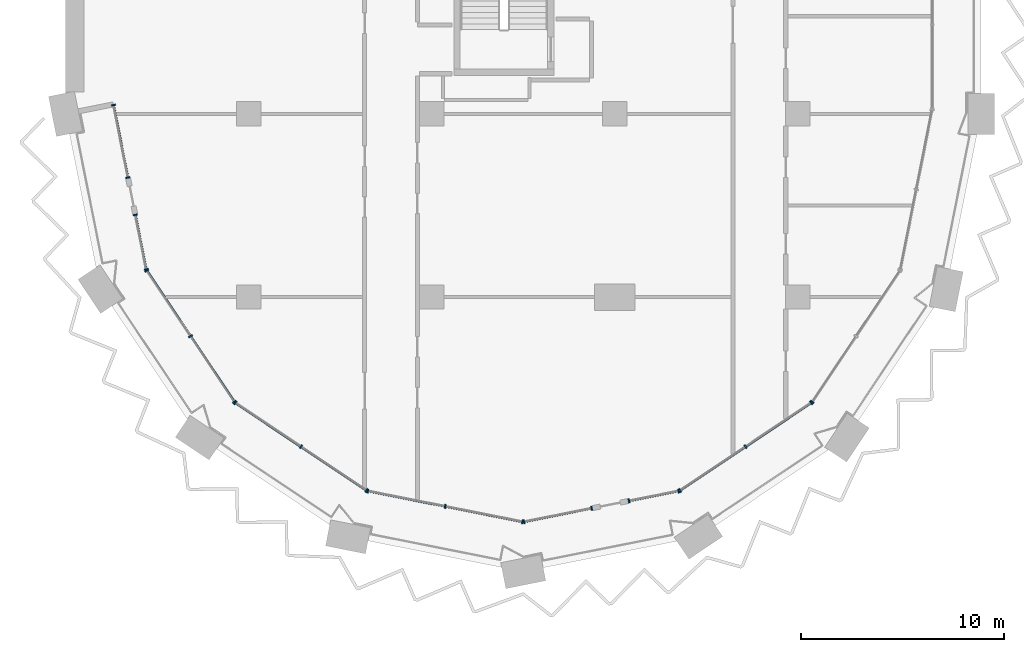
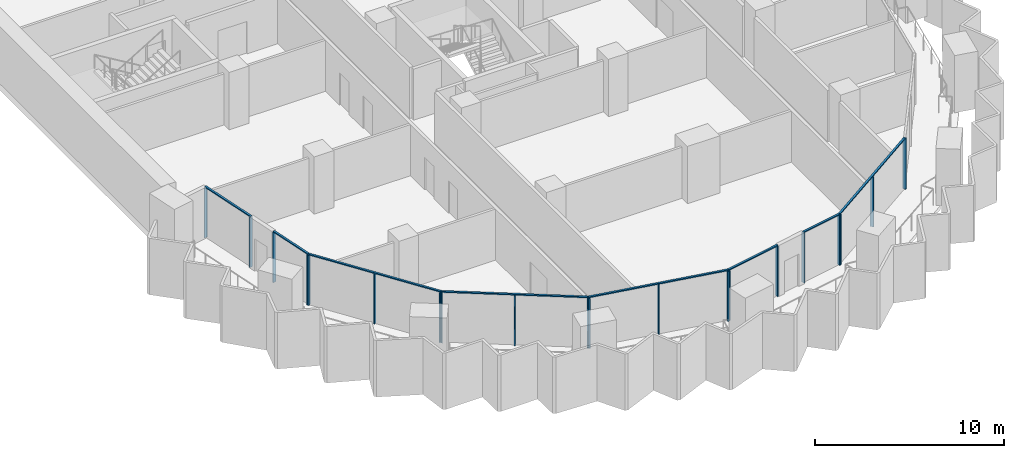
# One storey, part 2 of 22: 29 members, 9 elements without a shape of their own.
"""IFC4 building model written with IfcOpenShell, lengths in metres."""

import ifcopenshell
import ifcopenshell.guid

model = None  # the IFC model being written
_history = None  # IfcOwnerHistory: only IFC2X3 demands one
_inside = {}  # id of a spatial element -> (the spatial element, [elements in it])
_under = {}  # id of a project, library or spatial element -> (it, [spatial elements below it])
_declared = {}  # id of a project -> (the project, [libraries it declares])
_typed = {}  # id of a type object -> (the type object, [elements of that type])
_made_of = {}  # id of a material, layer set ... -> (it, [elements and type objects made of it])


def new_model(schema):
    """Start an empty IFC model of exactly this schema.

    Asked for "IFC4X3", IfcOpenShell would pick the latest addendum, in which some entities
    have other attributes; the version numbers below select the first issue.
    IFC2X3 requires an IfcOwnerHistory on every rooted entity: one is made here for all.
    """
    global model, _history
    if schema == "IFC4X3":
        model = ifcopenshell.file(schema_version=(4, 3, 0, 0))
    else:
        model = ifcopenshell.file(schema=schema)
    _inside.clear()
    _under.clear()
    _declared.clear()
    _typed.clear()
    _made_of.clear()
    _history = None
    if model.schema == "IFC2X3":
        org = make("IfcOrganization", Name="unknown")
        user = make(
            "IfcPersonAndOrganization",
            ThePerson=make("IfcPerson", FamilyName="unknown"),
            TheOrganization=org,
        )
        app = make(
            "IfcApplication",
            ApplicationDeveloper=org,
            Version="unknown",
            ApplicationFullName="unknown",
            ApplicationIdentifier="unknown",
        )
        _history = make(
            "IfcOwnerHistory",
            OwningUser=user,
            OwningApplication=app,
            ChangeAction="ADDED",
            CreationDate=0,
        )
    return model


def make(cls, **values):
    """One entity of the class cls with the attributes given. An attribute that is None is left unset."""
    return model.create_entity(
        cls, **{name: value for name, value in values.items() if value is not None}
    )


def rooted(cls, **values):
    """An entity with a GlobalId (a new one), such as an element, a storey or a relation."""
    return make(cls, GlobalId=ifcopenshell.guid.new(), OwnerHistory=_history, **values)


def si_unit(unit_type, name, prefix=None):
    """IfcSIUnit, for example si_unit("LENGTHUNIT", "METRE", prefix="MILLI")."""
    return make("IfcSIUnit", UnitType=unit_type, Prefix=prefix, Name=name)


def assignment(units):
    """IfcUnitAssignment: the units of a project."""
    return None if units is None else make("IfcUnitAssignment", Units=units)


def point(xyz):
    """IfcCartesianPoint."""
    return None if xyz is None else make("IfcCartesianPoint", Coordinates=xyz)


def direction(xyz):
    """IfcDirection."""
    return None if xyz is None else make("IfcDirection", DirectionRatios=xyz)


def frame(location, z_axis=None, x_axis=None):
    """IfcAxis2Placement3D, a coordinate frame: its origin and axes. An axis left out is left unset."""
    return make(
        "IfcAxis2Placement3D",
        Location=point(location),
        Axis=direction(z_axis),
        RefDirection=direction(x_axis),
    )


def frame_2d(location, x_axis=None):
    """IfcAxis2Placement2D, a coordinate frame in the plane: its origin and x axis."""
    return make(
        "IfcAxis2Placement2D", Location=point(location), RefDirection=direction(x_axis)
    )


def origin():
    """The frame at (0, 0, 0) with its axes left unset."""
    return frame((0.0, 0.0, 0.0))


def origin_2d():
    """The frame at (0, 0) in the plane with its x axis left unset."""
    return frame_2d((0.0, 0.0))


def place(relative_to, where):
    """IfcLocalPlacement: puts the frame where relative to a parent placement (None: the world)."""
    return make(
        "IfcLocalPlacement", PlacementRelTo=relative_to, RelativePlacement=where
    )


def context(
    kind, dimensions, precision=None, world=None, true_north=None, identifier=None
):
    """IfcGeometricRepresentationContext, for example the 3D "Model" context."""
    return make(
        "IfcGeometricRepresentationContext",
        ContextIdentifier=identifier,
        ContextType=kind,
        CoordinateSpaceDimension=dimensions,
        Precision=precision,
        WorldCoordinateSystem=world,
        TrueNorth=true_north,
    )


def subcontext(parent, identifier, kind, view, scale=None):
    """IfcGeometricRepresentationSubContext, for example "Body" below "Model"."""
    return make(
        "IfcGeometricRepresentationSubContext",
        ContextIdentifier=identifier,
        ContextType=kind,
        ParentContext=parent,
        TargetScale=scale,
        TargetView=view,
    )


def project(units=None, contexts=None):
    """IfcProject with its units and contexts."""
    return rooted(
        "IfcProject",
        Name="project",
        RepresentationContexts=contexts,
        UnitsInContext=assignment(units),
    )


def spatial(cls, under=None, at=None, **own):
    """A site, building, storey or space (cls), placed at a placement, below another one or the project."""
    s = rooted(cls, ObjectPlacement=at, **own)
    if under is not None:
        _under.setdefault(under.id(), (under, []))[1].append(s)
    return s


def profile(cls, at=None, kind="AREA", **sizes):
    """A parametric profile (cls). Its sizes go by their IFC names, for example OverallWidth=200.0."""
    return make(cls, ProfileType=kind, Position=at, **sizes)


def rectangle(**sizes):
    """IfcRectangleProfileDef."""
    return profile("IfcRectangleProfileDef", **sizes)


def extrude(swept, where, along, depth):
    """IfcExtrudedAreaSolid: the profile swept, set in the frame where, extruded along a direction by depth."""
    return make(
        "IfcExtrudedAreaSolid",
        SweptArea=swept,
        Position=where,
        ExtrudedDirection=direction(along),
        Depth=depth,
    )


def shape(context_of_items, identifier, shape_type, items):
    """IfcShapeRepresentation: the items that make up one representation, for example the "Body"."""
    return make(
        "IfcShapeRepresentation",
        ContextOfItems=context_of_items,
        RepresentationIdentifier=identifier,
        RepresentationType=shape_type,
        Items=items,
    )


def material(Name=None, Category=None):
    """IfcMaterial."""
    return make("IfcMaterial", Name=Name, Category=Category)


def material_profile(
    of_material, cross_section, Name=None, Category=None, Priority=None
):
    """IfcMaterialProfile: a cross section and its material."""
    return make(
        "IfcMaterialProfile",
        Name=Name,
        Material=of_material,
        Profile=cross_section,
        Priority=Priority,
        Category=Category,
    )


def profile_set(profiles, Name=None, composite=None):
    """IfcMaterialProfileSet."""
    return make(
        "IfcMaterialProfileSet",
        Name=Name,
        MaterialProfiles=profiles,
        CompositeProfile=composite,
    )


def made_of(thing, what):
    """Note that an element or type object is made of a material, layer set ...; save() writes the relation."""
    if what is not None:
        _made_of.setdefault(what.id(), (what, []))[1].append(thing)
    return thing


def type_object(cls, material=None, **own):
    """A type object (cls), such as IfcWallType, which elements share."""
    return made_of(rooted(cls, **own), material)


def element(
    cls,
    number,
    at=None,
    inside=None,
    cuts=None,
    type_object=None,
    material=None,
    context=None,
    identifier="Body",
    shape_type=None,
    held_by="IfcProductDefinitionShape",
    body=None,
    shapes=None,
    **own,
):
    """One element of the class cls, such as IfcWall. Its Tag is "e" and its number.

    at: its placement. inside: the storey or other place that contains it. cuts: it is an
    opening in that element (IfcRelVoidsElement). A single representation is given by context,
    identifier, shape_type and body (its items); several are given by shapes. held_by: the class
    of the entity that holds the representations. save() writes the other relations.
    """
    e = rooted(cls, Tag="e%d" % number, ObjectPlacement=at, **own)
    if body is not None:
        shapes = [shape(context, identifier, shape_type, body)]
    if shapes is not None:
        e.Representation = make(held_by, Representations=shapes)
    if inside is not None:
        _inside.setdefault(inside.id(), (inside, []))[1].append(e)
    if cuts is not None:
        rooted(
            "IfcRelVoidsElement", RelatingBuildingElement=cuts, RelatedOpeningElement=e
        )
    if type_object is not None:
        _typed.setdefault(type_object.id(), (type_object, []))[1].append(e)
    return made_of(e, material)


def aggregate(whole, parts):
    """IfcRelAggregates: a whole, such as a stair, and the parts it consists of."""
    return rooted("IfcRelAggregates", RelatingObject=whole, RelatedObjects=parts)


def save(model, path):
    """Write the relations noted so far, then the file.

    IfcRelAggregates (storeys below a building ...), IfcRelContainedInSpatialStructure (elements
    in a storey), IfcRelDefinesByType, IfcRelAssociatesMaterial and IfcRelDeclares: one each for
    every whole, place, type object, material and project.
    """
    for whole, parts in _under.values():
        aggregate(whole, parts)
    for where, things in _inside.values():
        rooted(
            "IfcRelContainedInSpatialStructure",
            RelatedElements=things,
            RelatingStructure=where,
        )
    for kind, things in _typed.values():
        rooted("IfcRelDefinesByType", RelatedObjects=things, RelatingType=kind)
    for what, things in _made_of.values():
        rooted("IfcRelAssociatesMaterial", RelatedObjects=things, RelatingMaterial=what)
    for by, libraries in _declared.values():
        rooted("IfcRelDeclares", RelatingContext=by, RelatedDefinitions=libraries)
    model.write(path)


model = new_model("IFC4")

# Units and contexts
model_context = context("Model", 3, precision=1e-05, world=origin(), true_north=direction((0.0, 1.0)))
body_context = subcontext(model_context, "Body", "Model", "MODEL_VIEW")
ifc_project = project(units=[si_unit("LENGTHUNIT", "METRE"), si_unit("AREAUNIT", "SQUARE_METRE"), si_unit("VOLUMEUNIT", "CUBIC_METRE"), si_unit("PLANEANGLEUNIT", "RADIAN"), si_unit("MASSUNIT", "GRAM", prefix="KILO")], contexts=[model_context])

# Site, building, storey
site_placement = place(None, origin())
site = spatial("IfcSite", under=ifc_project, at=site_placement, CompositionType="ELEMENT")
building_placement = place(site_placement, origin())
building = spatial("IfcBuilding", under=site, at=building_placement, Name="Hunhe Ridgeline Campus", CompositionType="ELEMENT")
storey_placement = place(building_placement, frame((0.0, 0.0, 133.800048828125)))
storey = spatial("IfcBuildingStorey", under=building, at=storey_placement, Name="L33", CompositionType="ELEMENT", Elevation=133.800048828125)

# Curtain wall, members
ifc_material = material(Name="Aluminium 6063", Category="aluminium")
curtain_wall_type = type_object("IfcCurtainWallType", Name="Curtain wall CW-5", PredefinedType="NOTDEFINED", material=ifc_material)
curtain_wall_1_placement = place(storey_placement, origin())
curtain_wall_1 = element("IfcCurtainWall", 1, at=curtain_wall_1_placement, inside=storey, type_object=curtain_wall_type, Name="Curtain wall 01", PredefinedType="NOTDEFINED")
ifc_material_profile_1 = material_profile(ifc_material, rectangle(XDim=0.199951171875, YDim=0.070068359375, at=origin_2d()))
ifc_profile_set_1 = profile_set([ifc_material_profile_1], Name="Aluminium 6063")
member_type_1 = type_object("IfcMemberType", Name="CW-5 aluminium mullion", PredefinedType="MULLION", material=ifc_profile_set_1)
member_1_placement = place(storey_placement, frame((2.361572265625, 27.434326171875, 0.0), z_axis=(0.0, 0.0, 1.0), x_axis=(0.980784284924, 0.195095326561, 0.0)))
member_1 = element("IfcMember", 2, at=member_1_placement, type_object=member_type_1, Name="CW-5 mullion 1", PredefinedType="MULLION", context=body_context, shape_type="SweptSolid", body=[
    extrude(rectangle(XDim=0.199951171875, YDim=0.070068359375, at=origin_2d()), origin(), (0.0, 0.0, 1.0), 3.22998046875),
])
member_2_placement = place(storey_placement, frame((3.070068359375, 23.873291015625, 0.0), z_axis=(0.0, 0.0, 1.0), x_axis=(0.980784284924, 0.195095326561, 0.0)))
member_2 = element("IfcMember", 3, at=member_2_placement, type_object=member_type_1, Name="CW-5 mullion 2", PredefinedType="MULLION", context=body_context, shape_type="SweptSolid", body=[
    extrude(rectangle(XDim=0.199951171875, YDim=0.070068359375, at=origin_2d()), origin(), (0.0, 0.0, 1.0), 3.22998046875),
])

curtain_wall_2_placement = place(storey_placement, origin())
curtain_wall_2 = element("IfcCurtainWall", 4, at=curtain_wall_2_placement, inside=storey, type_object=curtain_wall_type, Name="Curtain wall 02", PredefinedType="NOTDEFINED")
member_3_placement = place(storey_placement, frame((3.434814453125, 22.0390625, 0.0), z_axis=(0.0, 0.0, 1.0), x_axis=(0.980784297053, 0.195095265587, 0.0)))
member_3 = element("IfcMember", 5, at=member_3_placement, type_object=member_type_1, Name="CW-5 mullion 1", PredefinedType="MULLION", context=body_context, shape_type="SweptSolid", body=[
    extrude(rectangle(XDim=0.199951171875, YDim=0.070068359375, at=origin_2d()), origin(), (0.0, 0.0, 1.0), 3.22998046875),
])
member_4_placement = place(storey_placement, frame((3.967529296875, 19.36083984375, 0.0), z_axis=(0.0, 0.0, 1.0), x_axis=(0.980784297053, 0.195095265587, 0.0)))
member_4 = element("IfcMember", 6, at=member_4_placement, type_object=member_type_1, Name="CW-5 mullion 2", PredefinedType="MULLION", context=body_context, shape_type="SweptSolid", body=[
    extrude(rectangle(XDim=0.199951171875, YDim=0.070068359375, at=origin_2d()), origin(), (0.0, 0.0, 1.0), 3.22998046875),
])

curtain_wall_3_placement = place(storey_placement, origin())
curtain_wall_3 = element("IfcCurtainWall", 7, at=curtain_wall_3_placement, inside=storey, type_object=curtain_wall_type, Name="Curtain wall 03", PredefinedType="NOTDEFINED")
member_5_placement = place(storey_placement, frame((3.993896484375, 19.29736328125, 0.0), z_axis=(0.0, 0.0, 1.0), x_axis=(0.831469584522, 0.555570274596, 0.0)))
member_5 = element("IfcMember", 8, at=member_5_placement, type_object=member_type_1, Name="CW-5 mullion 1", PredefinedType="MULLION", context=body_context, shape_type="SweptSolid", body=[
    extrude(rectangle(XDim=0.199951171875, YDim=0.070068359375, at=origin_2d()), origin(), (0.0, 0.0, 1.0), 3.22998046875),
])
member_6_placement = place(storey_placement, frame((6.147705078125, 16.07373046875, 0.0), z_axis=(0.0, 0.0, 1.0), x_axis=(0.831469584522, 0.555570274596, 0.0)))
member_6 = element("IfcMember", 9, at=member_6_placement, type_object=member_type_1, Name="CW-5 mullion 2", PredefinedType="MULLION", context=body_context, shape_type="SweptSolid", body=[
    extrude(rectangle(XDim=0.199951171875, YDim=0.070068359375, at=origin_2d()), origin(), (0.0, 0.0, 1.0), 3.22998046875),
])
member_7_placement = place(storey_placement, frame((8.3017578125, 12.850341796875, 0.0), z_axis=(0.0, 0.0, 1.0), x_axis=(0.831469584522, 0.555570274596, 0.0)))
member_7 = element("IfcMember", 10, at=member_7_placement, type_object=member_type_1, Name="CW-5 mullion 3", PredefinedType="MULLION", context=body_context, shape_type="SweptSolid", body=[
    extrude(rectangle(XDim=0.199951171875, YDim=0.070068359375, at=origin_2d()), origin(), (0.0, 0.0, 1.0), 3.22998046875),
])

curtain_wall_4_placement = place(storey_placement, origin())
curtain_wall_4 = element("IfcCurtainWall", 11, at=curtain_wall_4_placement, inside=storey, type_object=curtain_wall_type, Name="Curtain wall 04", PredefinedType="NOTDEFINED")
member_8_placement = place(storey_placement, frame((8.350341796875, 12.8017578125, 0.0), z_axis=(0.0, 0.0, 1.0), x_axis=(0.555570274596, 0.831469584522, 0.0)))
member_8 = element("IfcMember", 12, at=member_8_placement, type_object=member_type_1, Name="CW-5 mullion 1", PredefinedType="MULLION", context=body_context, shape_type="SweptSolid", body=[
    extrude(rectangle(XDim=0.199951171875, YDim=0.070068359375, at=origin_2d()), origin(), (0.0, 0.0, 1.0), 3.22998046875),
])
member_9_placement = place(storey_placement, frame((11.57373046875, 10.647705078125, 0.0), z_axis=(0.0, 0.0, 1.0), x_axis=(0.555570274596, 0.831469584522, 0.0)))
member_9 = element("IfcMember", 13, at=member_9_placement, type_object=member_type_1, Name="CW-5 mullion 2", PredefinedType="MULLION", context=body_context, shape_type="SweptSolid", body=[
    extrude(rectangle(XDim=0.199951171875, YDim=0.070068359375, at=origin_2d()), origin(), (0.0, 0.0, 1.0), 3.22998046875),
])
member_10_placement = place(storey_placement, frame((14.79736328125, 8.493896484375, 0.0), z_axis=(0.0, 0.0, 1.0), x_axis=(0.555570274596, 0.831469584522, 0.0)))
member_10 = element("IfcMember", 14, at=member_10_placement, type_object=member_type_1, Name="CW-5 mullion 3", PredefinedType="MULLION", context=body_context, shape_type="SweptSolid", body=[
    extrude(rectangle(XDim=0.199951171875, YDim=0.070068359375, at=origin_2d()), origin(), (0.0, 0.0, 1.0), 3.22998046875),
])

curtain_wall_5_placement = place(storey_placement, origin())
curtain_wall_5 = element("IfcCurtainWall", 15, at=curtain_wall_5_placement, inside=storey, type_object=curtain_wall_type, Name="Curtain wall 05", PredefinedType="NOTDEFINED")
member_11_placement = place(storey_placement, frame((14.86083984375, 8.467529296875, 0.0), z_axis=(0.0, 0.0, 1.0), x_axis=(0.195090347539, 0.980785275326, 0.0)))
member_11 = element("IfcMember", 16, at=member_11_placement, type_object=member_type_1, Name="CW-5 mullion 1", PredefinedType="MULLION", context=body_context, shape_type="SweptSolid", body=[
    extrude(rectangle(XDim=0.199951171875, YDim=0.070068359375, at=origin_2d()), origin(), (0.0, 0.0, 1.0), 3.22998046875),
])
member_12_placement = place(storey_placement, frame((18.663330078125, 7.711181640625, 0.0), z_axis=(0.0, 0.0, 1.0), x_axis=(0.195090347539, 0.980785275326, 0.0)))
member_12 = element("IfcMember", 17, at=member_12_placement, type_object=member_type_1, Name="CW-5 mullion 2", PredefinedType="MULLION", context=body_context, shape_type="SweptSolid", body=[
    extrude(rectangle(XDim=0.199951171875, YDim=0.070068359375, at=origin_2d()), origin(), (0.0, 0.0, 1.0), 3.22998046875),
])
member_13_placement = place(storey_placement, frame((22.465576171875, 6.954833984375, 0.0), z_axis=(0.0, 0.0, 1.0), x_axis=(0.195090347539, 0.980785275326, 0.0)))
member_13 = element("IfcMember", 18, at=member_13_placement, type_object=member_type_1, Name="CW-5 mullion 3", PredefinedType="MULLION", context=body_context, shape_type="SweptSolid", body=[
    extrude(rectangle(XDim=0.199951171875, YDim=0.070068359375, at=origin_2d()), origin(), (0.0, 0.0, 1.0), 3.22998046875),
])

curtain_wall_6_placement = place(storey_placement, origin())
curtain_wall_6 = element("IfcCurtainWall", 19, at=curtain_wall_6_placement, inside=storey, type_object=curtain_wall_type, Name="Curtain wall 06", PredefinedType="NOTDEFINED")
member_14_placement = place(storey_placement, frame((22.534423828125, 6.954833984375, 0.0), z_axis=(0.0, 0.0, 1.0), x_axis=(-0.19509037034, 0.980785270791, 0.0)))
member_14 = element("IfcMember", 20, at=member_14_placement, type_object=member_type_1, Name="CW-5 mullion 1", PredefinedType="MULLION", context=body_context, shape_type="SweptSolid", body=[
    extrude(rectangle(XDim=0.199951171875, YDim=0.070068359375, at=origin_2d()), origin(), (0.0, 0.0, 1.0), 3.22998046875),
])
member_15_placement = place(storey_placement, frame((25.861083984375, 7.61669921875, 0.0), z_axis=(0.0, 0.0, 1.0), x_axis=(-0.19509037034, 0.980785270791, 0.0)))
member_15 = element("IfcMember", 21, at=member_15_placement, type_object=member_type_1, Name="CW-5 mullion 2", PredefinedType="MULLION", context=body_context, shape_type="SweptSolid", body=[
    extrude(rectangle(XDim=0.199951171875, YDim=0.070068359375, at=origin_2d()), origin(), (0.0, 0.0, 1.0), 3.22998046875),
])

curtain_wall_7_placement = place(storey_placement, origin())
curtain_wall_7 = element("IfcCurtainWall", 22, at=curtain_wall_7_placement, inside=storey, type_object=curtain_wall_type, Name="Curtain wall 07", PredefinedType="NOTDEFINED")
member_16_placement = place(storey_placement, frame((27.695068359375, 7.9814453125, 0.0), z_axis=(0.0, 0.0, 1.0), x_axis=(-0.195090514627, 0.980785242091, 0.0)))
member_16 = element("IfcMember", 23, at=member_16_placement, type_object=member_type_1, Name="CW-5 mullion 1", PredefinedType="MULLION", context=body_context, shape_type="SweptSolid", body=[
    extrude(rectangle(XDim=0.199951171875, YDim=0.070068359375, at=origin_2d()), origin(), (0.0, 0.0, 1.0), 3.22998046875),
])
member_17_placement = place(storey_placement, frame((30.13916015625, 8.467529296875, 0.0), z_axis=(0.0, 0.0, 1.0), x_axis=(-0.195090514627, 0.980785242091, 0.0)))
member_17 = element("IfcMember", 24, at=member_17_placement, type_object=member_type_1, Name="CW-5 mullion 2", PredefinedType="MULLION", context=body_context, shape_type="SweptSolid", body=[
    extrude(rectangle(XDim=0.199951171875, YDim=0.070068359375, at=origin_2d()), origin(), (0.0, 0.0, 1.0), 3.22998046875),
])

curtain_wall_8_placement = place(storey_placement, origin())
curtain_wall_8 = element("IfcCurtainWall", 25, at=curtain_wall_8_placement, inside=storey, type_object=curtain_wall_type, Name="Curtain wall 08", PredefinedType="NOTDEFINED")
member_18_placement = place(storey_placement, frame((30.20263671875, 8.493896484375, 0.0), z_axis=(0.0, 0.0, 1.0), x_axis=(-0.555570274596, 0.831469584522, 0.0)))
member_18 = element("IfcMember", 26, at=member_18_placement, type_object=member_type_1, Name="CW-5 mullion 1", PredefinedType="MULLION", context=body_context, shape_type="SweptSolid", body=[
    extrude(rectangle(XDim=0.199951171875, YDim=0.070068359375, at=origin_2d()), origin(), (0.0, 0.0, 1.0), 3.22998046875),
])
member_19_placement = place(storey_placement, frame((33.42626953125, 10.647705078125, 0.0), z_axis=(0.0, 0.0, 1.0), x_axis=(-0.555570274596, 0.831469584522, 0.0)))
member_19 = element("IfcMember", 27, at=member_19_placement, type_object=member_type_1, Name="CW-5 mullion 2", PredefinedType="MULLION", context=body_context, shape_type="SweptSolid", body=[
    extrude(rectangle(XDim=0.199951171875, YDim=0.070068359375, at=origin_2d()), origin(), (0.0, 0.0, 1.0), 3.22998046875),
])
member_20_placement = place(storey_placement, frame((36.649658203125, 12.8017578125, 0.0), z_axis=(0.0, 0.0, 1.0), x_axis=(-0.555570274596, 0.831469584522, 0.0)))
member_20 = element("IfcMember", 28, at=member_20_placement, type_object=member_type_1, Name="CW-5 mullion 3", PredefinedType="MULLION", context=body_context, shape_type="SweptSolid", body=[
    extrude(rectangle(XDim=0.199951171875, YDim=0.070068359375, at=origin_2d()), origin(), (0.0, 0.0, 1.0), 3.22998046875),
])

# Curtain wall, member
curtain_wall_9_placement = place(storey_placement, origin())
curtain_wall_9 = element("IfcCurtainWall", 29, at=curtain_wall_9_placement, inside=storey, type_object=curtain_wall_type, Name="Curtain wall 09", PredefinedType="NOTDEFINED")
member_21_placement = place(storey_placement, frame((36.6982421875, 12.850341796875, 0.0), z_axis=(0.0, 0.0, 1.0), x_axis=(-0.831469584522, 0.555570274596, 0.0)))
member_21 = element("IfcMember", 30, at=member_21_placement, type_object=member_type_1, Name="CW-5 mullion 1", PredefinedType="MULLION", context=body_context, shape_type="SweptSolid", body=[
    extrude(rectangle(XDim=0.199951171875, YDim=0.070068359375, at=origin_2d()), origin(), (0.0, 0.0, 1.0), 3.22998046875),
])
aggregate(curtain_wall_9, [member_21])

# Member
ifc_material_profile_2 = material_profile(ifc_material, rectangle(XDim=0.1201171875, YDim=0.070068359375, at=origin_2d()))
ifc_profile_set_2 = profile_set([ifc_material_profile_2], Name="Aluminium 6063")
member_type_2 = type_object("IfcMemberType", Name="CW-5 aluminium transom", PredefinedType="USERDEFINED", material=ifc_profile_set_2)
member_22_placement = place(storey_placement, frame((2.354736328125, 27.46875, 3.264892578125), z_axis=(0.195126549745, -0.980778073564, 0.0), x_axis=(0.980778073564, 0.195126549745, 0.0)))
member_22 = element("IfcMember", 31, at=member_22_placement, type_object=member_type_2, Name="CW-5 transom 1", ObjectType="TRANSOM", PredefinedType="USERDEFINED", context=body_context, shape_type="SweptSolid", body=[
    extrude(rectangle(XDim=0.1201171875, YDim=0.070068359375, at=origin_2d()), origin(), (0.0, 0.0, 1.0), 3.700927734375),
])

aggregate(curtain_wall_1, [member_22, member_1, member_2])

member_23_placement = place(storey_placement, frame((3.427978515625, 22.073486328125, 3.264892578125), z_axis=(0.195076742145, -0.98078798151, 0.0), x_axis=(0.98078798151, 0.195076742145, 0.0)))
member_23 = element("IfcMember", 32, at=member_23_placement, type_object=member_type_2, Name="CW-5 transom 1", ObjectType="TRANSOM", PredefinedType="USERDEFINED", context=body_context, shape_type="SweptSolid", body=[
    extrude(rectangle(XDim=0.1201171875, YDim=0.070068359375, at=origin_2d()), origin(), (0.0, 0.0, 1.0), 2.80078125),
])

aggregate(curtain_wall_2, [member_23, member_3, member_4])

member_24_placement = place(storey_placement, frame((3.974365234375, 19.326416015625, 3.264892578125), z_axis=(0.5555640203, -0.831473763475, 0.0), x_axis=(0.831473763475, 0.5555640203, 0.0)))
member_24 = element("IfcMember", 33, at=member_24_placement, type_object=member_type_2, Name="CW-5 transom 1", ObjectType="TRANSOM", PredefinedType="USERDEFINED", context=body_context, shape_type="SweptSolid", body=[
    extrude(rectangle(XDim=0.1201171875, YDim=0.070068359375, at=origin_2d()), origin(), (0.0, 0.0, 1.0), 7.823974609375),
])

aggregate(curtain_wall_3, [member_24, member_5, member_6, member_7])

member_25_placement = place(storey_placement, frame((8.321044921875, 12.821044921875, 3.264892578125), z_axis=(0.831473763475, -0.5555640203, 0.0), x_axis=(0.5555640203, 0.831473763475, 0.0)))
member_25 = element("IfcMember", 34, at=member_25_placement, type_object=member_type_2, Name="CW-5 transom 1", ObjectType="TRANSOM", PredefinedType="USERDEFINED", context=body_context, shape_type="SweptSolid", body=[
    extrude(rectangle(XDim=0.1201171875, YDim=0.070068359375, at=origin_2d()), origin(), (0.0, 0.0, 1.0), 7.823974609375),
])

aggregate(curtain_wall_4, [member_25, member_8, member_9, member_10])

member_26_placement = place(storey_placement, frame((14.826416015625, 8.474365234375, 3.264892578125), z_axis=(0.980785367689, -0.195089883198, 0.0), x_axis=(0.195089883198, 0.980785367689, 0.0)))
member_26 = element("IfcMember", 35, at=member_26_placement, type_object=member_type_2, Name="CW-5 transom 1", ObjectType="TRANSOM", PredefinedType="USERDEFINED", context=body_context, shape_type="SweptSolid", body=[
    extrude(rectangle(XDim=0.1201171875, YDim=0.070068359375, at=origin_2d()), origin(), (0.0, 0.0, 1.0), 7.823974609375),
])

aggregate(curtain_wall_5, [member_26, member_11, member_12, member_13])

member_27_placement = place(storey_placement, frame((22.5, 6.947998046875, 3.264892578125), z_axis=(0.980778171596, 0.195126057004, 0.0), x_axis=(-0.195126057004, 0.980778171596, 0.0)))
member_27 = element("IfcMember", 36, at=member_27_placement, type_object=member_type_2, Name="CW-5 transom 1", ObjectType="TRANSOM", PredefinedType="USERDEFINED", context=body_context, shape_type="SweptSolid", body=[
    extrude(rectangle(XDim=0.1201171875, YDim=0.070068359375, at=origin_2d()), origin(), (0.0, 0.0, 1.0), 3.462158203125),
])

aggregate(curtain_wall_6, [member_27, member_14, member_15])

member_28_placement = place(storey_placement, frame((27.660888671875, 7.974609375, 3.264892578125), z_axis=(0.980789038007, 0.195071430315, 0.0), x_axis=(-0.195071430315, 0.980789038007, 0.0)))
member_28 = element("IfcMember", 37, at=member_28_placement, type_object=member_type_2, Name="CW-5 transom 1", ObjectType="TRANSOM", PredefinedType="USERDEFINED", context=body_context, shape_type="SweptSolid", body=[
    extrude(rectangle(XDim=0.1201171875, YDim=0.070068359375, at=origin_2d()), origin(), (0.0, 0.0, 1.0), 2.56201171875),
])

aggregate(curtain_wall_7, [member_28, member_16, member_17])

member_29_placement = place(storey_placement, frame((30.173583984375, 8.474365234375, 3.264892578125), z_axis=(0.831473763475, 0.5555640203, 0.0), x_axis=(-0.5555640203, 0.831473763475, 0.0)))
member_29 = element("IfcMember", 38, at=member_29_placement, type_object=member_type_2, Name="CW-5 transom 1", ObjectType="TRANSOM", PredefinedType="USERDEFINED", context=body_context, shape_type="SweptSolid", body=[
    extrude(rectangle(XDim=0.1201171875, YDim=0.070068359375, at=origin_2d()), origin(), (0.0, 0.0, 1.0), 7.823974609375),
])

aggregate(curtain_wall_8, [member_29, member_18, member_19, member_20])

save(model, "model.ifc")
